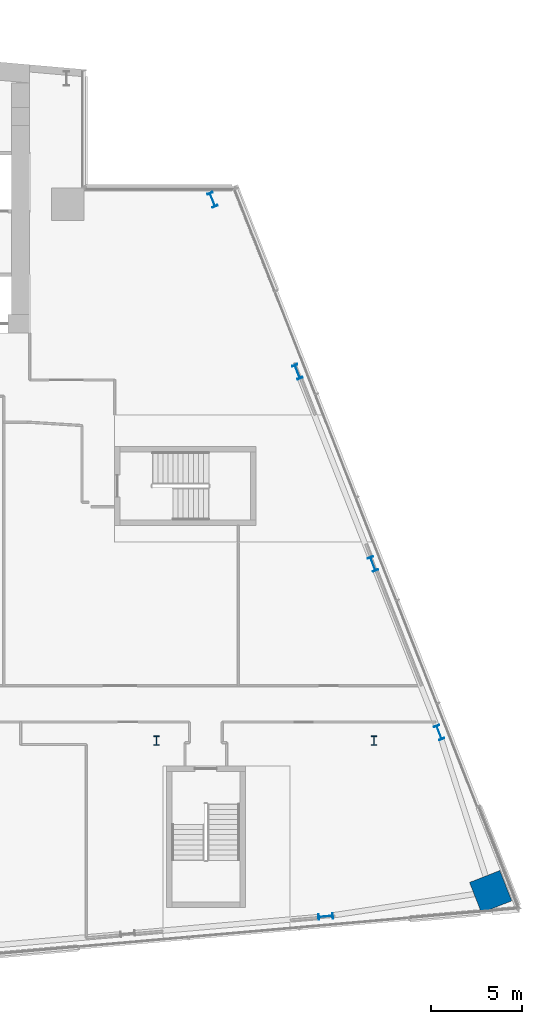
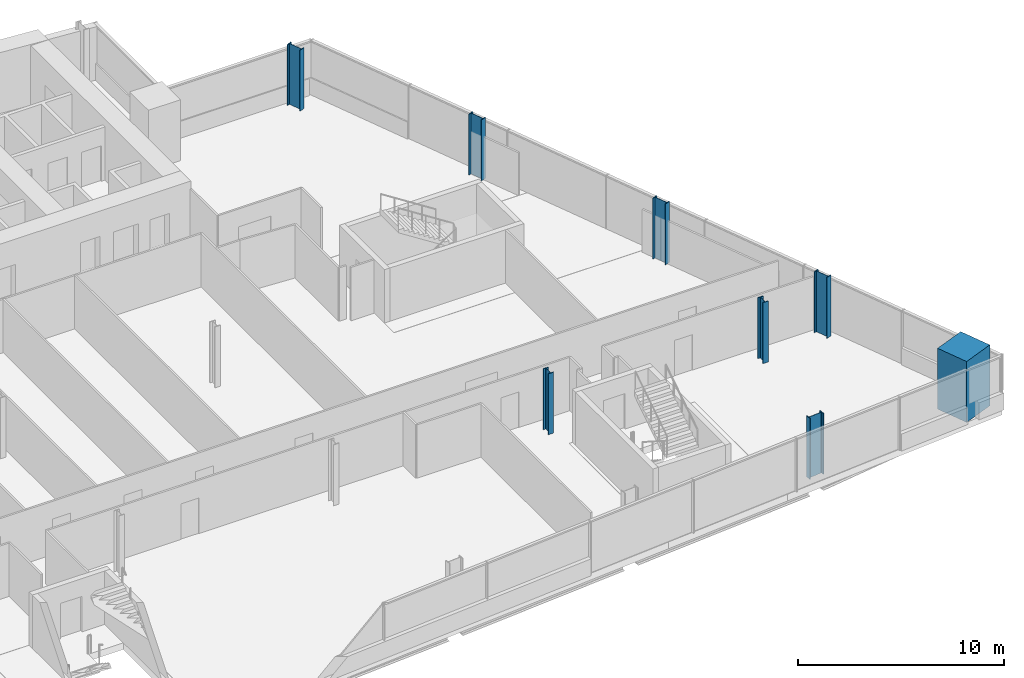
# One storey, part 4 of 25: 8 columns.
"""IFC4 building model written with IfcOpenShell, lengths in metres."""

import ifcopenshell
import ifcopenshell.guid

model = None  # the IFC model being written
_history = None  # IfcOwnerHistory: only IFC2X3 demands one
_inside = {}  # id of a spatial element -> (the spatial element, [elements in it])
_under = {}  # id of a project, library or spatial element -> (it, [spatial elements below it])
_declared = {}  # id of a project -> (the project, [libraries it declares])
_typed = {}  # id of a type object -> (the type object, [elements of that type])
_made_of = {}  # id of a material, layer set ... -> (it, [elements and type objects made of it])


def new_model(schema):
    """Start an empty IFC model of exactly this schema.

    Asked for "IFC4X3", IfcOpenShell would pick the latest addendum, in which some entities
    have other attributes; the version numbers below select the first issue.
    IFC2X3 requires an IfcOwnerHistory on every rooted entity: one is made here for all.
    """
    global model, _history
    if schema == "IFC4X3":
        model = ifcopenshell.file(schema_version=(4, 3, 0, 0))
    else:
        model = ifcopenshell.file(schema=schema)
    _inside.clear()
    _under.clear()
    _declared.clear()
    _typed.clear()
    _made_of.clear()
    _history = None
    if model.schema == "IFC2X3":
        org = make("IfcOrganization", Name="unknown")
        user = make(
            "IfcPersonAndOrganization",
            ThePerson=make("IfcPerson", FamilyName="unknown"),
            TheOrganization=org,
        )
        app = make(
            "IfcApplication",
            ApplicationDeveloper=org,
            Version="unknown",
            ApplicationFullName="unknown",
            ApplicationIdentifier="unknown",
        )
        _history = make(
            "IfcOwnerHistory",
            OwningUser=user,
            OwningApplication=app,
            ChangeAction="ADDED",
            CreationDate=0,
        )
    return model


def make(cls, **values):
    """One entity of the class cls with the attributes given. An attribute that is None is left unset."""
    return model.create_entity(
        cls, **{name: value for name, value in values.items() if value is not None}
    )


def rooted(cls, **values):
    """An entity with a GlobalId (a new one), such as an element, a storey or a relation."""
    return make(cls, GlobalId=ifcopenshell.guid.new(), OwnerHistory=_history, **values)


def si_unit(unit_type, name, prefix=None):
    """IfcSIUnit, for example si_unit("LENGTHUNIT", "METRE", prefix="MILLI")."""
    return make("IfcSIUnit", UnitType=unit_type, Prefix=prefix, Name=name)


def assignment(units):
    """IfcUnitAssignment: the units of a project."""
    return None if units is None else make("IfcUnitAssignment", Units=units)


def point(xyz):
    """IfcCartesianPoint."""
    return None if xyz is None else make("IfcCartesianPoint", Coordinates=xyz)


def direction(xyz):
    """IfcDirection."""
    return None if xyz is None else make("IfcDirection", DirectionRatios=xyz)


def frame(location, z_axis=None, x_axis=None):
    """IfcAxis2Placement3D, a coordinate frame: its origin and axes. An axis left out is left unset."""
    return make(
        "IfcAxis2Placement3D",
        Location=point(location),
        Axis=direction(z_axis),
        RefDirection=direction(x_axis),
    )


def frame_2d(location, x_axis=None):
    """IfcAxis2Placement2D, a coordinate frame in the plane: its origin and x axis."""
    return make(
        "IfcAxis2Placement2D", Location=point(location), RefDirection=direction(x_axis)
    )


def origin():
    """The frame at (0, 0, 0) with its axes left unset."""
    return frame((0.0, 0.0, 0.0))


def origin_2d():
    """The frame at (0, 0) in the plane with its x axis left unset."""
    return frame_2d((0.0, 0.0))


def place(relative_to, where):
    """IfcLocalPlacement: puts the frame where relative to a parent placement (None: the world)."""
    return make(
        "IfcLocalPlacement", PlacementRelTo=relative_to, RelativePlacement=where
    )


def context(
    kind, dimensions, precision=None, world=None, true_north=None, identifier=None
):
    """IfcGeometricRepresentationContext, for example the 3D "Model" context."""
    return make(
        "IfcGeometricRepresentationContext",
        ContextIdentifier=identifier,
        ContextType=kind,
        CoordinateSpaceDimension=dimensions,
        Precision=precision,
        WorldCoordinateSystem=world,
        TrueNorth=true_north,
    )


def subcontext(parent, identifier, kind, view, scale=None):
    """IfcGeometricRepresentationSubContext, for example "Body" below "Model"."""
    return make(
        "IfcGeometricRepresentationSubContext",
        ContextIdentifier=identifier,
        ContextType=kind,
        ParentContext=parent,
        TargetScale=scale,
        TargetView=view,
    )


def project(units=None, contexts=None):
    """IfcProject with its units and contexts."""
    return rooted(
        "IfcProject",
        Name="project",
        RepresentationContexts=contexts,
        UnitsInContext=assignment(units),
    )


def spatial(cls, under=None, at=None, **own):
    """A site, building, storey or space (cls), placed at a placement, below another one or the project."""
    s = rooted(cls, ObjectPlacement=at, **own)
    if under is not None:
        _under.setdefault(under.id(), (under, []))[1].append(s)
    return s


def profile(cls, at=None, kind="AREA", **sizes):
    """A parametric profile (cls). Its sizes go by their IFC names, for example OverallWidth=200.0."""
    return make(cls, ProfileType=kind, Position=at, **sizes)


def rectangle(**sizes):
    """IfcRectangleProfileDef."""
    return profile("IfcRectangleProfileDef", **sizes)


def i_section(**sizes):
    """IfcIShapeProfileDef."""
    return profile("IfcIShapeProfileDef", **sizes)


def extrude(swept, where, along, depth):
    """IfcExtrudedAreaSolid: the profile swept, set in the frame where, extruded along a direction by depth."""
    return make(
        "IfcExtrudedAreaSolid",
        SweptArea=swept,
        Position=where,
        ExtrudedDirection=direction(along),
        Depth=depth,
    )


def shape(context_of_items, identifier, shape_type, items):
    """IfcShapeRepresentation: the items that make up one representation, for example the "Body"."""
    return make(
        "IfcShapeRepresentation",
        ContextOfItems=context_of_items,
        RepresentationIdentifier=identifier,
        RepresentationType=shape_type,
        Items=items,
    )


def material(Name=None, Category=None):
    """IfcMaterial."""
    return make("IfcMaterial", Name=Name, Category=Category)


def material_profile(
    of_material, cross_section, Name=None, Category=None, Priority=None
):
    """IfcMaterialProfile: a cross section and its material."""
    return make(
        "IfcMaterialProfile",
        Name=Name,
        Material=of_material,
        Profile=cross_section,
        Priority=Priority,
        Category=Category,
    )


def profile_set(profiles, Name=None, composite=None):
    """IfcMaterialProfileSet."""
    return make(
        "IfcMaterialProfileSet",
        Name=Name,
        MaterialProfiles=profiles,
        CompositeProfile=composite,
    )


def made_of(thing, what):
    """Note that an element or type object is made of a material, layer set ...; save() writes the relation."""
    if what is not None:
        _made_of.setdefault(what.id(), (what, []))[1].append(thing)
    return thing


def type_object(cls, material=None, **own):
    """A type object (cls), such as IfcWallType, which elements share."""
    return made_of(rooted(cls, **own), material)


def element(
    cls,
    number,
    at=None,
    inside=None,
    cuts=None,
    type_object=None,
    material=None,
    context=None,
    identifier="Body",
    shape_type=None,
    held_by="IfcProductDefinitionShape",
    body=None,
    shapes=None,
    **own,
):
    """One element of the class cls, such as IfcWall. Its Tag is "e" and its number.

    at: its placement. inside: the storey or other place that contains it. cuts: it is an
    opening in that element (IfcRelVoidsElement). A single representation is given by context,
    identifier, shape_type and body (its items); several are given by shapes. held_by: the class
    of the entity that holds the representations. save() writes the other relations.
    """
    e = rooted(cls, Tag="e%d" % number, ObjectPlacement=at, **own)
    if body is not None:
        shapes = [shape(context, identifier, shape_type, body)]
    if shapes is not None:
        e.Representation = make(held_by, Representations=shapes)
    if inside is not None:
        _inside.setdefault(inside.id(), (inside, []))[1].append(e)
    if cuts is not None:
        rooted(
            "IfcRelVoidsElement", RelatingBuildingElement=cuts, RelatedOpeningElement=e
        )
    if type_object is not None:
        _typed.setdefault(type_object.id(), (type_object, []))[1].append(e)
    return made_of(e, material)


def aggregate(whole, parts):
    """IfcRelAggregates: a whole, such as a stair, and the parts it consists of."""
    return rooted("IfcRelAggregates", RelatingObject=whole, RelatedObjects=parts)


def save(model, path):
    """Write the relations noted so far, then the file.

    IfcRelAggregates (storeys below a building ...), IfcRelContainedInSpatialStructure (elements
    in a storey), IfcRelDefinesByType, IfcRelAssociatesMaterial and IfcRelDeclares: one each for
    every whole, place, type object, material and project.
    """
    for whole, parts in _under.values():
        aggregate(whole, parts)
    for where, things in _inside.values():
        rooted(
            "IfcRelContainedInSpatialStructure",
            RelatedElements=things,
            RelatingStructure=where,
        )
    for kind, things in _typed.values():
        rooted("IfcRelDefinesByType", RelatedObjects=things, RelatingType=kind)
    for what, things in _made_of.values():
        rooted("IfcRelAssociatesMaterial", RelatedObjects=things, RelatingMaterial=what)
    for by, libraries in _declared.values():
        rooted("IfcRelDeclares", RelatingContext=by, RelatedDefinitions=libraries)
    model.write(path)


model = new_model("IFC4")

# Units and contexts
model_context = context("Model", 3, precision=1e-05, world=origin(), true_north=direction((0.0, 1.0)))
body_context = subcontext(model_context, "Body", "Model", "MODEL_VIEW")
ifc_project = project(units=[si_unit("LENGTHUNIT", "METRE"), si_unit("AREAUNIT", "SQUARE_METRE"), si_unit("VOLUMEUNIT", "CUBIC_METRE"), si_unit("PLANEANGLEUNIT", "RADIAN"), si_unit("MASSUNIT", "GRAM", prefix="KILO")], contexts=[model_context])

# Site, building, storey
site_placement = place(None, origin())
site = spatial("IfcSite", under=ifc_project, at=site_placement, CompositionType="ELEMENT")
building_placement = place(site_placement, origin())
building = spatial("IfcBuilding", under=site, at=building_placement, Name="Wharfspan Tower", CompositionType="ELEMENT")
storey_placement = place(building_placement, frame((0.0, 0.0, 143.5)))
storey = spatial("IfcBuildingStorey", under=building, at=storey_placement, Name="L34", CompositionType="ELEMENT", Elevation=143.5)

# Columns
ifc_material_1 = material(Name="Steel S355J2", Category="steel")
ifc_material_profile_1 = material_profile(ifc_material_1, i_section(OverallWidth=0.305908, OverallDepth=0.523926, WebThickness=0.020996, FlangeThickness=0.040039, FilletRadius=0.0271, at=origin_2d()))
ifc_profile_set_1 = profile_set([ifc_material_profile_1], Name="Steel S355J2")
column_type_1 = type_object("IfcColumnType", Name="Column HEM 500", PredefinedType="COLUMN", material=ifc_profile_set_1)
for number, where, z_axis, x_axis, name in (
    (1, (72.0, 11.5, 0.0), (0.0, 0.0, 1.0), (1.0, 0.0, 0.0), "Interior column I.1.6 L34"),
    (2, (84.0, 11.5, 0.0), (0.0, 0.0, 1.0), (1.0, 0.0, 0.0), "Interior column I.1.7 L34"),
):
    element("IfcColumn", number, at=place(storey_placement, frame(where, z_axis=z_axis, x_axis=x_axis)), inside=storey, type_object=column_type_1, Name=name, PredefinedType="COLUMN", context=body_context, shape_type="SweptSolid", body=[
        extrude(i_section(OverallWidth=0.305908, OverallDepth=0.523926, WebThickness=0.020996, FlangeThickness=0.040039, FilletRadius=0.0271, at=origin_2d()), origin(), (0.0, 0.0, 1.0), 3.600098),
    ])
ifc_material_profile_2 = material_profile(ifc_material_1, i_section(OverallWidth=0.302979, OverallDepth=0.813965, WebThickness=0.020996, FlangeThickness=0.040039, FilletRadius=0.030029, at=origin_2d()))
ifc_profile_set_2 = profile_set([ifc_material_profile_2], Name="Steel S355J2")
column_type_2 = type_object("IfcColumnType", Name="Column HEM 800", PredefinedType="COLUMN", material=ifc_profile_set_2)
for number, where, z_axis, x_axis, name in (
    (3, (81.327881, 1.80835, 0.0), (0.0, 0.0, 1.0), (0.087156, -0.996198, 0.0), "Perimeter column PS2.3 L34"),
    (4, (87.586914, 11.952393, 0.0), (0.0, 0.0, 1.0), (0.930702, 0.365778, 0.0), "Perimeter column PE.1 L34"),
    (5, (83.932617, 21.250977, 0.0), (0.0, 0.0, 1.0), (0.930702, 0.365778, 0.0), "Perimeter column PE.2 L34"),
    (6, (79.765869, 31.852539, 0.0), (0.0, 0.0, 1.0), (0.930702, 0.365778, 0.0), "Perimeter column PE.3 L34"),
    (7, (75.084961, 41.337646, 0.0), (0.0, 0.0, 1.0), (0.930702, 0.365778, 0.0), "Perimeter column PE.4 L34"),
):
    element("IfcColumn", number, at=place(storey_placement, frame(where, z_axis=z_axis, x_axis=x_axis)), inside=storey, type_object=column_type_2, Name=name, PredefinedType="COLUMN", context=body_context, shape_type="SweptSolid", body=[
        extrude(i_section(OverallWidth=0.302979, OverallDepth=0.813965, WebThickness=0.020996, FlangeThickness=0.040039, FilletRadius=0.030029, at=origin_2d()), origin(), (0.0, 0.0, 1.0), 3.600098),
    ])
ifc_material_2 = material(Name="Concrete C70/85", Category="concrete")
ifc_material_profile_3 = material_profile(ifc_material_2, rectangle(XDim=1.800049, YDim=1.800049, at=origin_2d()))
ifc_profile_set_3 = profile_set([ifc_material_profile_3], Name="Concrete C70/85")
column_type_3 = type_object("IfcColumnType", Name="Mega column 1800 C70/85", PredefinedType="COLUMN", material=ifc_profile_set_3)
column_placement = place(storey_placement, frame((90.427246, 3.174072, 0.0), z_axis=(0.0, 0.0, 1.0), x_axis=(-0.365778, 0.930702, 0.0)))
element("IfcColumn", 8, at=column_placement, inside=storey, type_object=column_type_3, Name="Mega column MC4 L34", PredefinedType="COLUMN", context=body_context, shape_type="SweptSolid", body=[
    extrude(rectangle(XDim=1.800049, YDim=1.800049, at=origin_2d()), origin(), (0.0, 0.0, 1.0), 3.600098),
])

save(model, "model.ifc")
